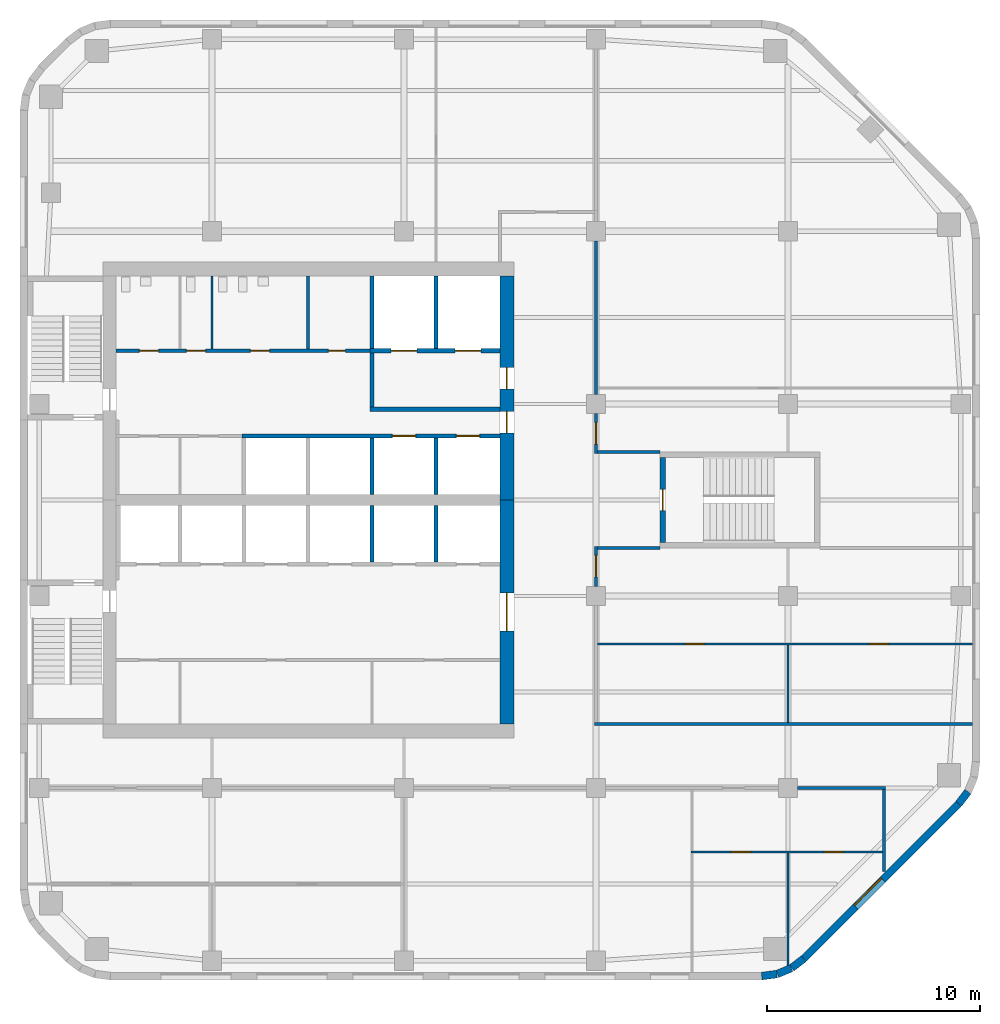
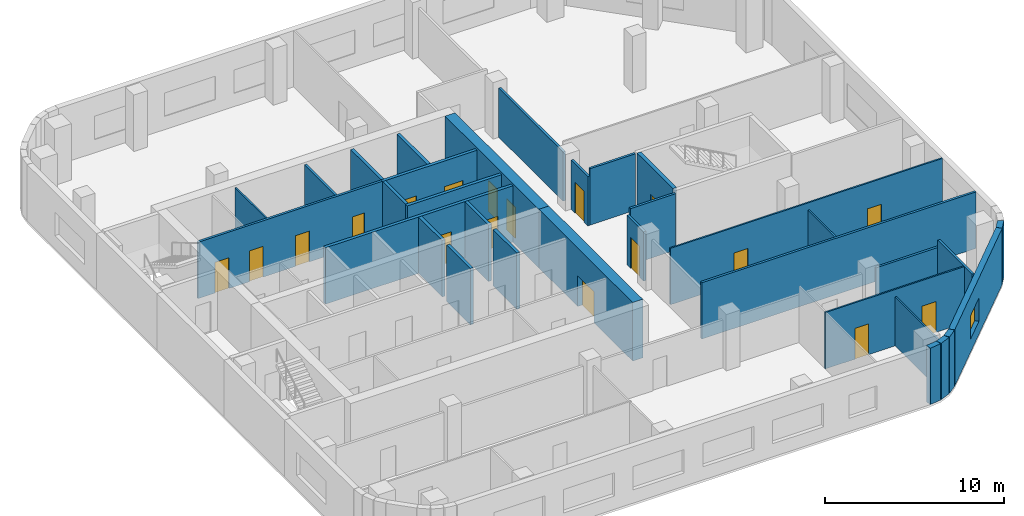
# One storey, part 4 of 7: 33 walls, 18 doors, 1 window, 19 openings.
"""IFC4 building model written with IfcOpenShell, lengths in metres."""

from ifc_helpers import new_model, si_unit, direction, frame, frame_2d, origin, place, context, subcontext, project, spatial, rectangle, extrude, material, layer, layer_set, type_object, element, fill, save


model = new_model("IFC4")

# Units and contexts
model_context = context("Model", 3, precision=1e-05, world=origin(), true_north=direction((0.0, 1.0)))
body_context = subcontext(model_context, "Body", "Model", "MODEL_VIEW")
ifc_project = project(units=[si_unit("LENGTHUNIT", "METRE"), si_unit("AREAUNIT", "SQUARE_METRE"), si_unit("VOLUMEUNIT", "CUBIC_METRE"), si_unit("PLANEANGLEUNIT", "RADIAN"), si_unit("MASSUNIT", "GRAM", prefix="KILO")], contexts=[model_context])

# Site, building, storey
site_placement = place(None, origin())
site = spatial("IfcSite", under=ifc_project, at=site_placement, CompositionType="ELEMENT")
building_placement = place(site_placement, origin())
building = spatial("IfcBuilding", under=site, at=building_placement, Name="Cinnabar Reach Civic Tower", CompositionType="ELEMENT")
storey_placement = place(building_placement, frame((0.0, 0.0, 173.0)))
storey = spatial("IfcBuildingStorey", under=building, at=storey_placement, Name="L41", CompositionType="ELEMENT", Elevation=173.0)

# Walls
ifc_material_1 = material(Name="Facing brick with insulated backing", Category="masonry")
ifc_layer_1 = layer(ifc_material_1, 0.36)
ifc_layer_set_1 = layer_set([ifc_layer_1], Name="Brick corner wall")
wall_type_1 = type_object("IfcWallType", Name="Brick corner wall", PredefinedType="STANDARD", material=ifc_layer_set_1)
for number, where, z_axis, x_axis, name in (
    (1, (34.7686, 9.183, 0.0), (0.0, 0.0, 1.0), (0.99144092581, 0.13055608231, 0.0), "Brick corner wall"),
    (2, (35.4973, 9.2819, 0.0), (0.0, 0.0, 1.0), (0.923871547278, 0.382702709855, 0.0), "Brick corner wall"),
):
    element("IfcWall", number, at=place(storey_placement, frame(where, z_axis=z_axis, x_axis=x_axis)), inside=storey, type_object=wall_type_1, Name=name, PredefinedType="STANDARD", context=body_context, shape_type="SweptSolid", body=[
        extrude(rectangle(XDim=0.7131, YDim=0.36, at=frame_2d((0.3565, 0.0))), origin(), (0.0, 0.0, 1.0), 3.85),
    ])
for number, where, z_axis, x_axis, name in (
    (3, (36.1755, 9.566, 0.0), (0.0, 0.0, 1.0), (0.793321924995, 0.608802368033, 0.0), "Brick corner wall"),
    (4, (43.9998, 17.2587, 0.0), (0.0, 0.0, 1.0), (0.608802368033, 0.793321924995, 0.0), "Brick corner wall"),
):
    element("IfcWall", number, at=place(storey_placement, frame(where, z_axis=z_axis, x_axis=x_axis)), inside=storey, type_object=wall_type_1, Name=name, PredefinedType="STANDARD", context=body_context, shape_type="SweptSolid", body=[
        extrude(rectangle(XDim=0.7132, YDim=0.36, at=frame_2d((0.3566, 0.0))), origin(), (0.0, 0.0, 1.0), 3.85),
    ])

# Wall, opening, window
ifc_layer_2 = layer(ifc_material_1, 0.36)
ifc_layer_set_2 = layer_set([ifc_layer_2], Name="Brick pier and spandrel wall")
wall_type_2 = type_object("IfcWallType", Name="Brick pier and spandrel wall", PredefinedType="STANDARD", material=ifc_layer_set_2)
wall_1_placement = place(storey_placement, frame((36.7514, 10.006, 0.0), z_axis=(0.0, 0.0, 1.0), x_axis=(0.707106781187, 0.707106781187, 0.0)))
wall_1 = element("IfcWall", 5, at=wall_1_placement, inside=storey, type_object=wall_type_2, Name="Brick facade wall", PredefinedType="STANDARD", context=body_context, shape_type="SweptSolid", body=[
    extrude(rectangle(XDim=10.2426, YDim=0.36, at=frame_2d((5.1213, 0.0))), origin(), (0.0, 0.0, 1.0), 3.85),
])
opening_1_placement = place(wall_1_placement, frame((3.4213, 0.0, 0.9)))
opening_1 = element("IfcOpeningElement", 6, at=opening_1_placement, cuts=wall_1, Name="Opening W1847", PredefinedType="OPENING", context=body_context, shape_type="SweptSolid", body=[
    extrude(rectangle(XDim=1.8, YDim=1.6, at=frame_2d((0.9, 0.8))), frame((0.0, 0.19, 0.0), z_axis=(0.0, -1.0, 0.0), x_axis=(1.0, 0.0, 0.0)), (0.0, 0.0, 1.0), 0.38),
])
ifc_material_2 = material(Name="Clear double glazing in aluminium frame", Category="aluminium")
window_type = type_object("IfcWindowType", Name="Deep-set window D", PartitioningType="SINGLE_PANEL", PredefinedType="WINDOW", material=ifc_material_2)
window_placement = place(opening_1_placement, origin())
window = element("IfcWindow", 7, at=window_placement, inside=storey, type_object=window_type, Name="Window southeast face", OverallHeight=1.6, OverallWidth=1.8, PartitioningType="SINGLE_PANEL", PredefinedType="WINDOW", context=body_context, shape_type="SweptSolid", body=[
    extrude(rectangle(XDim=1.8, YDim=1.6, at=frame_2d((0.9, 0.8))), frame((0.0, 0.13, 0.0), z_axis=(0.0, -1.0, 0.0), x_axis=(1.0, 0.0, 0.0)), (0.0, 0.0, 1.0), 0.06),
])
fill(opening_1, window)

# Wall, opening, door
ifc_material_3 = material(Name="Concrete C70", Category="concrete")
ifc_layer_3 = layer(ifc_material_3, 0.65)
ifc_layer_set_3 = layer_set([ifc_layer_3], Name="Core wall 650 EI 180")
wall_type_3 = type_object("IfcWallType", Name="Core wall 650 EI 180", PredefinedType="SOLIDWALL", material=ifc_layer_set_3)
wall_2_placement = place(storey_placement, frame((22.825, 21.0, 0.0), z_axis=(0.0, 0.0, 1.0), x_axis=(0.0, 1.0, 0.0)))
wall_2 = element("IfcWall", 8, at=wall_2_placement, inside=storey, type_object=wall_type_3, Name="Core wall T1 L41 E", PredefinedType="SOLIDWALL", context=body_context, shape_type="SweptSolid", body=[
    extrude(rectangle(XDim=10.5, YDim=0.65, at=frame_2d((5.25, 0.0))), origin(), (0.0, 0.0, 1.0), 4.0),
])
opening_2_placement = place(wall_2_placement, frame((4.35, 0.0, 0.0)))
opening_2 = element("IfcOpeningElement", 9, at=opening_2_placement, cuts=wall_2, Name="Opening D4681", PredefinedType="OPENING", context=body_context, shape_type="SweptSolid", body=[
    extrude(rectangle(XDim=1.8, YDim=2.1, at=frame_2d((0.9, 1.05))), frame((0.0, 0.335, 0.0), z_axis=(0.0, -1.0, 0.0), x_axis=(1.0, 0.0, 0.0)), (0.0, 0.0, 1.0), 0.67),
])
ifc_material_4 = material(Name="Timber door leaf in steel frame", Category="steel")
door_type_1 = type_object("IfcDoorType", Name="Double swing door 1800 x 2100 T1", OperationType="DOUBLE_DOOR_DOUBLE_SWING", PredefinedType="DOOR", material=ifc_material_4)
door_1_placement = place(opening_2_placement, origin())
door_1 = element("IfcDoor", 10, at=door_1_placement, inside=storey, type_object=door_type_1, Name="Door D4681", OperationType="DOUBLE_DOOR_DOUBLE_SWING", OverallHeight=2.1, OverallWidth=1.8, PredefinedType="DOOR", context=body_context, shape_type="SweptSolid", body=[
    extrude(rectangle(XDim=1.8, YDim=2.1, at=frame_2d((0.9, 1.05))), frame((0.0, 0.025, 0.0), z_axis=(0.0, -1.0, 0.0), x_axis=(1.0, 0.0, 0.0)), (0.0, 0.0, 1.0), 0.05),
])
fill(opening_2, door_1)

# Wall, openings, doors
wall_3_placement = place(storey_placement, frame((22.825, 31.5, 0.0), z_axis=(0.0, 0.0, 1.0), x_axis=(0.0, 1.0, 0.0)))
wall_3 = element("IfcWall", 11, at=wall_3_placement, inside=storey, type_object=wall_type_3, Name="Core wall T1 L41 E2", PredefinedType="SOLIDWALL", context=body_context, shape_type="SweptSolid", body=[
    extrude(rectangle(XDim=10.5, YDim=0.65, at=frame_2d((5.25, 0.0))), origin(), (0.0, 0.0, 1.0), 4.0),
])
opening_3_placement = place(wall_3_placement, frame((3.15, 0.0, 0.0)))
opening_3 = element("IfcOpeningElement", 12, at=opening_3_placement, cuts=wall_3, Name="Opening D4682", PredefinedType="OPENING", context=body_context, shape_type="SweptSolid", body=[
    extrude(rectangle(XDim=1.0, YDim=2.1, at=frame_2d((0.5, 1.05))), frame((0.0, 0.335, 0.0), z_axis=(0.0, -1.0, 0.0), x_axis=(1.0, 0.0, 0.0)), (0.0, 0.0, 1.0), 0.67),
])
opening_4_placement = place(wall_3_placement, frame((5.2, 0.0, 0.0)))
opening_4 = element("IfcOpeningElement", 13, at=opening_4_placement, cuts=wall_3, Name="Opening D4683", PredefinedType="OPENING", context=body_context, shape_type="SweptSolid", body=[
    extrude(rectangle(XDim=1.0, YDim=2.1, at=frame_2d((0.5, 1.05))), frame((0.0, 0.335, 0.0), z_axis=(0.0, -1.0, 0.0), x_axis=(1.0, 0.0, 0.0)), (0.0, 0.0, 1.0), 0.67),
])
door_type_2 = type_object("IfcDoorType", Name="Firefighting lobby door 1000 x 2100 T1", OperationType="SINGLE_SWING_LEFT", PredefinedType="DOOR", material=ifc_material_4)
door_2_placement = place(opening_4_placement, origin())
door_2 = element("IfcDoor", 14, at=door_2_placement, inside=storey, type_object=door_type_2, Name="Door D4683", OperationType="SINGLE_SWING_LEFT", OverallHeight=2.1, OverallWidth=1.0, PredefinedType="DOOR", context=body_context, shape_type="SweptSolid", body=[
    extrude(rectangle(XDim=1.0, YDim=2.1, at=frame_2d((0.5, 1.05))), frame((0.0, 0.025, 0.0), z_axis=(0.0, -1.0, 0.0), x_axis=(1.0, 0.0, 0.0)), (0.0, 0.0, 1.0), 0.05),
])
fill(opening_4, door_2)
door_type_3 = type_object("IfcDoorType", Name="Single swing door 1000 x 2100 T1", OperationType="SINGLE_SWING_LEFT", PredefinedType="DOOR", material=ifc_material_4)
door_3_placement = place(opening_3_placement, origin())
door_3 = element("IfcDoor", 15, at=door_3_placement, inside=storey, type_object=door_type_3, Name="Door D4682", OperationType="SINGLE_SWING_RIGHT", OverallHeight=2.1, OverallWidth=1.0, PredefinedType="DOOR", context=body_context, shape_type="SweptSolid", body=[
    extrude(rectangle(XDim=1.0, YDim=2.1, at=frame_2d((0.5, 1.05))), frame((0.0, 0.025, 0.0), z_axis=(0.0, -1.0, 0.0), x_axis=(1.0, 0.0, 0.0)), (0.0, 0.0, 1.0), 0.05),
])
fill(opening_3, door_3)

# Walls
ifc_material_5 = material(Name="Gypsum board on steel studs, double layer", Category="steel")
ifc_layer_4 = layer(ifc_material_5, 0.15)
ifc_layer_set_4 = layer_set([ifc_layer_4], Name="Corridor wall 150 T1")
wall_type_4 = type_object("IfcWallType", Name="Corridor wall 150 T1", PredefinedType="PARTITIONING", material=ifc_layer_set_4)
wall_4_placement = place(storey_placement, frame((36.45, 18.0, 0.0), z_axis=(0.0, 0.0, 1.0), x_axis=(1.0, 0.0, 0.0)))
element("IfcWall", 16, at=wall_4_placement, inside=storey, type_object=wall_type_4, Name="Corridor wall 22", PredefinedType="PARTITIONING", context=body_context, shape_type="SweptSolid", body=[
    extrude(rectangle(XDim=4.1249, YDim=0.15, at=frame_2d((2.0625, 0.0))), origin(), (0.0, 0.0, 1.0), 3.35),
])
wall_5_placement = place(storey_placement, frame((26.925, 21.0, 0.0), z_axis=(0.0, 0.0, 1.0), x_axis=(1.0, 0.0, 0.0)))
element("IfcWall", 17, at=wall_5_placement, inside=storey, type_object=wall_type_4, Name="Corridor wall 24", PredefinedType="PARTITIONING", context=body_context, shape_type="SweptSolid", body=[
    extrude(rectangle(XDim=17.715, YDim=0.15, at=frame_2d((8.8575, 0.0))), origin(), (0.0, 0.0, 1.0), 3.85),
])

# Wall, openings, doors
wall_6_placement = place(storey_placement, frame((4.5, 38.5, 0.0), z_axis=(0.0, 0.0, 1.0), x_axis=(1.0, 0.0, 0.0)))
wall_6 = element("IfcWall", 18, at=wall_6_placement, inside=storey, type_object=wall_type_4, Name="Corridor wall 25", PredefinedType="PARTITIONING", context=body_context, shape_type="SweptSolid", body=[
    extrude(rectangle(XDim=11.9, YDim=0.15, at=frame_2d((5.95, 0.0))), origin(), (0.0, 0.0, 1.0), 3.85),
])
opening_5_placement = place(wall_6_placement, frame((1.1, 0.0, 0.0)))
opening_5 = element("IfcOpeningElement", 19, at=opening_5_placement, cuts=wall_6, Name="Opening D4690", PredefinedType="OPENING", context=body_context, shape_type="SweptSolid", body=[
    extrude(rectangle(XDim=0.9, YDim=2.1, at=frame_2d((0.45, 1.05))), frame((0.0, 0.085, 0.0), z_axis=(0.0, -1.0, 0.0), x_axis=(1.0, 0.0, 0.0)), (0.0, 0.0, 1.0), 0.17),
])
opening_6_placement = place(wall_6_placement, frame((3.3, 0.0, 0.0)))
opening_6 = element("IfcOpeningElement", 20, at=opening_6_placement, cuts=wall_6, Name="Opening D4691", PredefinedType="OPENING", context=body_context, shape_type="SweptSolid", body=[
    extrude(rectangle(XDim=0.9, YDim=2.1, at=frame_2d((0.45, 1.05))), frame((0.0, 0.085, 0.0), z_axis=(0.0, -1.0, 0.0), x_axis=(1.0, 0.0, 0.0)), (0.0, 0.0, 1.0), 0.17),
])
opening_7_placement = place(wall_6_placement, frame((6.3, 0.0, 0.0)))
opening_7 = element("IfcOpeningElement", 21, at=opening_7_placement, cuts=wall_6, Name="Opening D4692", PredefinedType="OPENING", context=body_context, shape_type="SweptSolid", body=[
    extrude(rectangle(XDim=0.9, YDim=2.1, at=frame_2d((0.45, 1.05))), frame((0.0, 0.085, 0.0), z_axis=(0.0, -1.0, 0.0), x_axis=(1.0, 0.0, 0.0)), (0.0, 0.0, 1.0), 0.17),
])
opening_8_placement = place(wall_6_placement, frame((9.95, 0.0, 0.0)))
opening_8 = element("IfcOpeningElement", 22, at=opening_8_placement, cuts=wall_6, Name="Opening D4693", PredefinedType="OPENING", context=body_context, shape_type="SweptSolid", body=[
    extrude(rectangle(XDim=0.8, YDim=2.1, at=frame_2d((0.4, 1.05))), frame((0.0, 0.085, 0.0), z_axis=(0.0, -1.0, 0.0), x_axis=(1.0, 0.0, 0.0)), (0.0, 0.0, 1.0), 0.17),
])
door_type_4 = type_object("IfcDoorType", Name="Riser access door 800 x 2100 T1", OperationType="SINGLE_SWING_LEFT", PredefinedType="DOOR", material=ifc_material_4)
door_4_placement = place(opening_8_placement, origin())
door_4 = element("IfcDoor", 23, at=door_4_placement, inside=storey, type_object=door_type_4, Name="Door D4693", OperationType="SINGLE_SWING_RIGHT", OverallHeight=2.1, OverallWidth=0.8, PredefinedType="DOOR", context=body_context, shape_type="SweptSolid", body=[
    extrude(rectangle(XDim=0.8, YDim=2.1, at=frame_2d((0.4, 1.05))), frame((0.0, 0.025, 0.0), z_axis=(0.0, -1.0, 0.0), x_axis=(1.0, 0.0, 0.0)), (0.0, 0.0, 1.0), 0.05),
])
fill(opening_8, door_4)
door_type_5 = type_object("IfcDoorType", Name="Single swing door 900 x 2100 corridor T1", OperationType="SINGLE_SWING_LEFT", PredefinedType="DOOR", material=ifc_material_4)
door_5_placement = place(opening_5_placement, origin())
door_5 = element("IfcDoor", 24, at=door_5_placement, inside=storey, type_object=door_type_5, Name="Door D4690", OperationType="SINGLE_SWING_LEFT", OverallHeight=2.1, OverallWidth=0.9, PredefinedType="DOOR", context=body_context, shape_type="SweptSolid", body=[
    extrude(rectangle(XDim=0.9, YDim=2.1, at=frame_2d((0.45, 1.05))), frame((0.0, 0.025, 0.0), z_axis=(0.0, -1.0, 0.0), x_axis=(1.0, 0.0, 0.0)), (0.0, 0.0, 1.0), 0.05),
])
fill(opening_5, door_5)
door_6_placement = place(opening_6_placement, origin())
door_6 = element("IfcDoor", 25, at=door_6_placement, inside=storey, type_object=door_type_5, Name="Door D4691", OperationType="SINGLE_SWING_LEFT", OverallHeight=2.1, OverallWidth=0.9, PredefinedType="DOOR", context=body_context, shape_type="SweptSolid", body=[
    extrude(rectangle(XDim=0.9, YDim=2.1, at=frame_2d((0.45, 1.05))), frame((0.0, 0.025, 0.0), z_axis=(0.0, -1.0, 0.0), x_axis=(1.0, 0.0, 0.0)), (0.0, 0.0, 1.0), 0.05),
])
fill(opening_6, door_6)
door_7_placement = place(opening_7_placement, origin())
door_7 = element("IfcDoor", 26, at=door_7_placement, inside=storey, type_object=door_type_5, Name="Door D4692", OperationType="SINGLE_SWING_LEFT", OverallHeight=2.1, OverallWidth=0.9, PredefinedType="DOOR", context=body_context, shape_type="SweptSolid", body=[
    extrude(rectangle(XDim=0.9, YDim=2.1, at=frame_2d((0.45, 1.05))), frame((0.0, 0.025, 0.0), z_axis=(0.0, -1.0, 0.0), x_axis=(1.0, 0.0, 0.0)), (0.0, 0.0, 1.0), 0.05),
])
fill(opening_7, door_7)

# Wall, opening, door
wall_7_placement = place(storey_placement, frame((27.0, 33.675, 0.0), z_axis=(0.0, 0.0, 1.0), x_axis=(0.0, 1.0, 0.0)))
wall_7 = element("IfcWall", 27, at=wall_7_placement, inside=storey, type_object=wall_type_4, Name="Corridor wall 26", PredefinedType="PARTITIONING", context=body_context, shape_type="SweptSolid", body=[
    extrude(rectangle(XDim=1.875, YDim=0.15, at=frame_2d((0.9375, 0.0))), origin(), (0.0, 0.0, 1.0), 3.362),
])
opening_9_placement = place(wall_7_placement, frame((0.45, 0.0, 0.0)))
opening_9 = element("IfcOpeningElement", 28, at=opening_9_placement, cuts=wall_7, Name="Opening D4694", PredefinedType="OPENING", context=body_context, shape_type="SweptSolid", body=[
    extrude(rectangle(XDim=1.0, YDim=2.1, at=frame_2d((0.5, 1.05))), frame((0.0, 0.085, 0.0), z_axis=(0.0, -1.0, 0.0), x_axis=(1.0, 0.0, 0.0)), (0.0, 0.0, 1.0), 0.17),
])
door_type_6 = type_object("IfcDoorType", Name="Tenancy entrance door 1000 x 2100 T1", OperationType="SINGLE_SWING_LEFT", PredefinedType="DOOR", material=ifc_material_4)
door_8_placement = place(opening_9_placement, frame((1.0, 0.0, 0.0), z_axis=(0.0, 0.0, 1.0), x_axis=(-1.0, 0.0, 0.0)))
door_8 = element("IfcDoor", 29, at=door_8_placement, inside=storey, type_object=door_type_6, Name="Door D4694", OperationType="SINGLE_SWING_RIGHT", OverallHeight=2.1, OverallWidth=1.0, PredefinedType="DOOR", context=body_context, shape_type="SweptSolid", body=[
    extrude(rectangle(XDim=1.0, YDim=2.1, at=frame_2d((0.5, 1.05))), frame((0.0, 0.025, 0.0), z_axis=(0.0, -1.0, 0.0), x_axis=(1.0, 0.0, 0.0)), (0.0, 0.0, 1.0), 0.05),
])
fill(opening_9, door_8)

# Wall
wall_8_placement = place(storey_placement, frame((27.0, 36.45, 0.0), z_axis=(0.0, 0.0, 1.0), x_axis=(0.0, 1.0, 0.0)))
element("IfcWall", 30, at=wall_8_placement, inside=storey, type_object=wall_type_4, Name="Corridor wall 27", PredefinedType="PARTITIONING", context=body_context, shape_type="SweptSolid", body=[
    extrude(rectangle(XDim=7.2, YDim=0.15, at=frame_2d((3.6, 0.0))), origin(), (0.0, 0.0, 1.0), 3.362),
])

# Wall, opening, door
wall_9_placement = place(storey_placement, frame((27.0, 27.45, 0.0), z_axis=(0.0, 0.0, 1.0), x_axis=(0.0, 1.0, 0.0)))
wall_9 = element("IfcWall", 31, at=wall_9_placement, inside=storey, type_object=wall_type_4, Name="Corridor wall 30", PredefinedType="PARTITIONING", context=body_context, shape_type="SweptSolid", body=[
    extrude(rectangle(XDim=1.875, YDim=0.15, at=frame_2d((0.9375, 0.0))), origin(), (0.0, 0.0, 1.0), 3.362),
])
opening_10_placement = place(wall_9_placement, frame((0.45, 0.0, 0.0)))
opening_10 = element("IfcOpeningElement", 32, at=opening_10_placement, cuts=wall_9, Name="Opening D4696", PredefinedType="OPENING", context=body_context, shape_type="SweptSolid", body=[
    extrude(rectangle(XDim=1.0, YDim=2.1, at=frame_2d((0.5, 1.05))), frame((0.0, 0.085, 0.0), z_axis=(0.0, -1.0, 0.0), x_axis=(1.0, 0.0, 0.0)), (0.0, 0.0, 1.0), 0.17),
])
door_9_placement = place(opening_10_placement, frame((1.0, 0.0, 0.0), z_axis=(0.0, 0.0, 1.0), x_axis=(-1.0, 0.0, 0.0)))
door_9 = element("IfcDoor", 33, at=door_9_placement, inside=storey, type_object=door_type_6, Name="Door D4696", OperationType="SINGLE_SWING_LEFT", OverallHeight=2.1, OverallWidth=1.0, PredefinedType="DOOR", context=body_context, shape_type="SweptSolid", body=[
    extrude(rectangle(XDim=1.0, YDim=2.1, at=frame_2d((0.5, 1.05))), frame((0.0, 0.025, 0.0), z_axis=(0.0, -1.0, 0.0), x_axis=(1.0, 0.0, 0.0)), (0.0, 0.0, 1.0), 0.05),
])
fill(opening_10, door_9)

# Walls
wall_10_placement = place(storey_placement, frame((40.5, 14.084, 0.0), z_axis=(0.0, 0.0, 1.0), x_axis=(0.0, 1.0, 0.0)))
element("IfcWall", 34, at=wall_10_placement, inside=storey, type_object=wall_type_4, Name="Corridor wall 33", PredefinedType="PARTITIONING", context=body_context, shape_type="SweptSolid", body=[
    extrude(rectangle(XDim=3.841, YDim=0.15, at=frame_2d((1.9205, 0.0))), origin(), (0.0, 0.0, 1.0), 3.85),
])
for number, where, z_axis, x_axis, name in (
    (35, (27.075, 29.25, 0.0), (0.0, 0.0, 1.0), (1.0, 0.0, 0.0), "Corridor wall 36"),
    (36, (27.075, 33.75, 0.0), (0.0, 0.0, 1.0), (1.0, 0.0, 0.0), "Corridor wall 37"),
):
    element("IfcWall", number, at=place(storey_placement, frame(where, z_axis=z_axis, x_axis=x_axis)), inside=storey, type_object=wall_type_4, Name=name, PredefinedType="PARTITIONING", context=body_context, shape_type="SweptSolid", body=[
        extrude(rectangle(XDim=2.925, YDim=0.15, at=frame_2d((1.4625, 0.0))), origin(), (0.0, 0.0, 1.0), 3.85),
    ])

# Wall, openings, doors
ifc_material_6 = material(Name="Blockwork", Category="masonry")
ifc_layer_5 = layer(ifc_material_6, 0.2)
ifc_layer_set_5 = layer_set([ifc_layer_5], Name="Lift shaft wall 200 T1")
wall_type_5 = type_object("IfcWallType", Name="Lift shaft wall 200 T1", PredefinedType="PARTITIONING", material=ifc_layer_set_5)
wall_11_placement = place(storey_placement, frame((10.4, 34.5, 0.0), z_axis=(0.0, 0.0, 1.0), x_axis=(1.0, 0.0, 0.0)))
wall_11 = element("IfcWall", 37, at=wall_11_placement, inside=storey, type_object=wall_type_5, Name="Lift shaft wall 5", PredefinedType="PARTITIONING", context=body_context, shape_type="SweptSolid", body=[
    extrude(rectangle(XDim=12.1, YDim=0.2, at=frame_2d((6.05, 0.0))), origin(), (0.0, 0.0, 1.0), 3.85),
])
opening_11_placement = place(wall_11_placement, frame((7.05, 0.0, 0.0)))
opening_11 = element("IfcOpeningElement", 38, at=opening_11_placement, cuts=wall_11, Name="Opening D4677", PredefinedType="OPENING", context=body_context, shape_type="SweptSolid", body=[
    extrude(rectangle(XDim=1.1, YDim=2.1, at=frame_2d((0.55, 1.05))), frame((0.0, 0.11, 0.0), z_axis=(0.0, -1.0, 0.0), x_axis=(1.0, 0.0, 0.0)), (0.0, 0.0, 1.0), 0.22),
])
opening_12_placement = place(wall_11_placement, frame((10.05, 0.0, 0.0)))
opening_12 = element("IfcOpeningElement", 39, at=opening_12_placement, cuts=wall_11, Name="Opening D4678", PredefinedType="OPENING", context=body_context, shape_type="SweptSolid", body=[
    extrude(rectangle(XDim=1.1, YDim=2.1, at=frame_2d((0.55, 1.05))), frame((0.0, 0.11, 0.0), z_axis=(0.0, -1.0, 0.0), x_axis=(1.0, 0.0, 0.0)), (0.0, 0.0, 1.0), 0.22),
])
ifc_material_7 = material(Name="Stainless steel sliding door", Category="steel")
door_type_7 = type_object("IfcDoorType", Name="Lift landing door 1100 x 2100 T1", OperationType="SLIDING_TO_LEFT", PredefinedType="DOOR", material=ifc_material_7)
door_10_placement = place(opening_11_placement, origin())
door_10 = element("IfcDoor", 40, at=door_10_placement, inside=storey, type_object=door_type_7, Name="Lift landing door SV1 L41", OperationType="SLIDING_TO_LEFT", OverallHeight=2.1, OverallWidth=1.1, PredefinedType="DOOR", context=body_context, shape_type="SweptSolid", body=[
    extrude(rectangle(XDim=1.1, YDim=2.1, at=frame_2d((0.55, 1.05))), frame((0.0, 0.025, 0.0), z_axis=(0.0, -1.0, 0.0), x_axis=(1.0, 0.0, 0.0)), (0.0, 0.0, 1.0), 0.05),
])
fill(opening_11, door_10)
door_11_placement = place(opening_12_placement, origin())
door_11 = element("IfcDoor", 41, at=door_11_placement, inside=storey, type_object=door_type_7, Name="Lift landing door SV2 L41", OperationType="SLIDING_TO_LEFT", OverallHeight=2.1, OverallWidth=1.1, PredefinedType="DOOR", context=body_context, shape_type="SweptSolid", body=[
    extrude(rectangle(XDim=1.1, YDim=2.1, at=frame_2d((0.55, 1.05))), frame((0.0, 0.025, 0.0), z_axis=(0.0, -1.0, 0.0), x_axis=(1.0, 0.0, 0.0)), (0.0, 0.0, 1.0), 0.05),
])
fill(opening_12, door_11)

# Walls
for number, where, z_axis, x_axis, name in (
    (42, (16.5, 28.6, 0.0), (0.0, 0.0, 1.0), (0.0, 1.0, 0.0), "Lift shaft wall 10"),
    (43, (16.5, 31.75, 0.0), (0.0, 0.0, 1.0), (0.0, 1.0, 0.0), "Lift shaft wall 11"),
    (44, (19.5, 28.6, 0.0), (0.0, 0.0, 1.0), (0.0, 1.0, 0.0), "Lift shaft wall 12"),
    (45, (19.5, 31.75, 0.0), (0.0, 0.0, 1.0), (0.0, 1.0, 0.0), "Lift shaft wall 13"),
):
    element("IfcWall", number, at=place(storey_placement, frame(where, z_axis=z_axis, x_axis=x_axis)), inside=storey, type_object=wall_type_5, Name=name, PredefinedType="PARTITIONING", context=body_context, shape_type="SweptSolid", body=[
        extrude(rectangle(XDim=2.65, YDim=0.2, at=frame_2d((1.325, 0.0))), origin(), (0.0, 0.0, 1.0), 3.85),
    ])
for number, where, z_axis, x_axis, name in (
    (46, (16.5, 38.6, 0.0), (0.0, 0.0, 1.0), (0.0, 1.0, 0.0), "Lift shaft wall 14"),
    (47, (19.5, 38.6, 0.0), (0.0, 0.0, 1.0), (0.0, 1.0, 0.0), "Lift shaft wall 15"),
):
    element("IfcWall", number, at=place(storey_placement, frame(where, z_axis=z_axis, x_axis=x_axis)), inside=storey, type_object=wall_type_5, Name=name, PredefinedType="PARTITIONING", context=body_context, shape_type="SweptSolid", body=[
        extrude(rectangle(XDim=3.4, YDim=0.2, at=frame_2d((1.7, 0.0))), origin(), (0.0, 0.0, 1.0), 3.85),
    ])

# Wall, openings, doors
ifc_material_8 = material(Name="Gypsum board on steel studs", Category="steel")
ifc_layer_6 = layer(ifc_material_8, 0.1)
ifc_layer_set_6 = layer_set([ifc_layer_6], Name="Partition wall 100 T1")
wall_type_6 = type_object("IfcWallType", Name="Partition wall 100 T1", PredefinedType="PARTITIONING", material=ifc_layer_set_6)
wall_12_placement = place(storey_placement, frame((27.075, 24.75, 0.0), z_axis=(0.0, 0.0, 1.0), x_axis=(1.0, 0.0, 0.0)))
wall_12 = element("IfcWall", 48, at=wall_12_placement, inside=storey, type_object=wall_type_6, Name="Partition wall 44", PredefinedType="PARTITIONING", context=body_context, shape_type="SweptSolid", body=[
    extrude(rectangle(XDim=17.565, YDim=0.1, at=frame_2d((8.7825, 0.0))), origin(), (0.0, 0.0, 1.0), 3.85),
])
opening_13_placement = place(wall_12_placement, frame((4.1, 0.0, 0.0)))
opening_13 = element("IfcOpeningElement", 49, at=opening_13_placement, cuts=wall_12, Name="Opening D4697", PredefinedType="OPENING", context=body_context, shape_type="SweptSolid", body=[
    extrude(rectangle(XDim=0.9, YDim=2.1, at=frame_2d((0.45, 1.05))), frame((0.0, 0.06, 0.0), z_axis=(0.0, -1.0, 0.0), x_axis=(1.0, 0.0, 0.0)), (0.0, 0.0, 1.0), 0.12),
])
opening_14_placement = place(wall_12_placement, frame((12.725, 0.0, 0.0)))
opening_14 = element("IfcOpeningElement", 50, at=opening_14_placement, cuts=wall_12, Name="Opening D4698", PredefinedType="OPENING", context=body_context, shape_type="SweptSolid", body=[
    extrude(rectangle(XDim=0.9, YDim=2.1, at=frame_2d((0.45, 1.05))), frame((0.0, 0.06, 0.0), z_axis=(0.0, -1.0, 0.0), x_axis=(1.0, 0.0, 0.0)), (0.0, 0.0, 1.0), 0.12),
])
door_type_8 = type_object("IfcDoorType", Name="Single swing door 900 x 2100 T1", OperationType="SINGLE_SWING_LEFT", PredefinedType="DOOR", material=ifc_material_4)
door_12_placement = place(opening_13_placement, frame((0.9, 0.0, 0.0), z_axis=(0.0, 0.0, 1.0), x_axis=(-1.0, 0.0, 0.0)))
door_12 = element("IfcDoor", 51, at=door_12_placement, inside=storey, type_object=door_type_8, Name="Door D4697", OperationType="SINGLE_SWING_LEFT", OverallHeight=2.1, OverallWidth=0.9, PredefinedType="DOOR", context=body_context, shape_type="SweptSolid", body=[
    extrude(rectangle(XDim=0.9, YDim=2.1, at=frame_2d((0.45, 1.05))), frame((0.0, 0.025, 0.0), z_axis=(0.0, -1.0, 0.0), x_axis=(1.0, 0.0, 0.0)), (0.0, 0.0, 1.0), 0.05),
])
fill(opening_13, door_12)
door_13_placement = place(opening_14_placement, frame((0.9, 0.0, 0.0), z_axis=(0.0, 0.0, 1.0), x_axis=(-1.0, 0.0, 0.0)))
door_13 = element("IfcDoor", 52, at=door_13_placement, inside=storey, type_object=door_type_8, Name="Door D4698", OperationType="SINGLE_SWING_LEFT", OverallHeight=2.1, OverallWidth=0.9, PredefinedType="DOOR", context=body_context, shape_type="SweptSolid", body=[
    extrude(rectangle(XDim=0.9, YDim=2.1, at=frame_2d((0.45, 1.05))), frame((0.0, 0.025, 0.0), z_axis=(0.0, -1.0, 0.0), x_axis=(1.0, 0.0, 0.0)), (0.0, 0.0, 1.0), 0.05),
])
fill(opening_14, door_13)

wall_13_placement = place(storey_placement, frame((31.45, 15.0, 0.0), z_axis=(0.0, 0.0, 1.0), x_axis=(1.0, 0.0, 0.0)))
wall_13 = element("IfcWall", 53, at=wall_13_placement, inside=storey, type_object=wall_type_6, Name="Partition wall 47", PredefinedType="PARTITIONING", context=body_context, shape_type="SweptSolid", body=[
    extrude(rectangle(XDim=8.975, YDim=0.1, at=frame_2d((4.4875, 0.0))), origin(), (0.0, 0.0, 1.0), 3.85),
])
opening_15_placement = place(wall_13_placement, frame((1.9, 0.0, 0.0)))
opening_15 = element("IfcOpeningElement", 54, at=opening_15_placement, cuts=wall_13, Name="Opening D4704", PredefinedType="OPENING", context=body_context, shape_type="SweptSolid", body=[
    extrude(rectangle(XDim=0.9, YDim=2.1, at=frame_2d((0.45, 1.05))), frame((0.0, 0.06, 0.0), z_axis=(0.0, -1.0, 0.0), x_axis=(1.0, 0.0, 0.0)), (0.0, 0.0, 1.0), 0.12),
])
opening_16_placement = place(wall_13_placement, frame((6.25, 0.0, 0.0)))
opening_16 = element("IfcOpeningElement", 55, at=opening_16_placement, cuts=wall_13, Name="Opening D4705", PredefinedType="OPENING", context=body_context, shape_type="SweptSolid", body=[
    extrude(rectangle(XDim=0.9, YDim=2.1, at=frame_2d((0.45, 1.05))), frame((0.0, 0.06, 0.0), z_axis=(0.0, -1.0, 0.0), x_axis=(1.0, 0.0, 0.0)), (0.0, 0.0, 1.0), 0.12),
])
door_14_placement = place(opening_15_placement, frame((0.9, 0.0, 0.0), z_axis=(0.0, 0.0, 1.0), x_axis=(-1.0, 0.0, 0.0)))
door_14 = element("IfcDoor", 56, at=door_14_placement, inside=storey, type_object=door_type_8, Name="Door D4704", OperationType="SINGLE_SWING_RIGHT", OverallHeight=2.1, OverallWidth=0.9, PredefinedType="DOOR", context=body_context, shape_type="SweptSolid", body=[
    extrude(rectangle(XDim=0.9, YDim=2.1, at=frame_2d((0.45, 1.05))), frame((0.0, 0.025, 0.0), z_axis=(0.0, -1.0, 0.0), x_axis=(1.0, 0.0, 0.0)), (0.0, 0.0, 1.0), 0.05),
])
fill(opening_15, door_14)
door_15_placement = place(opening_16_placement, frame((0.9, 0.0, 0.0), z_axis=(0.0, 0.0, 1.0), x_axis=(-1.0, 0.0, 0.0)))
door_15 = element("IfcDoor", 57, at=door_15_placement, inside=storey, type_object=door_type_8, Name="Door D4705", OperationType="SINGLE_SWING_RIGHT", OverallHeight=2.1, OverallWidth=0.9, PredefinedType="DOOR", context=body_context, shape_type="SweptSolid", body=[
    extrude(rectangle(XDim=0.9, YDim=2.1, at=frame_2d((0.45, 1.05))), frame((0.0, 0.025, 0.0), z_axis=(0.0, -1.0, 0.0), x_axis=(1.0, 0.0, 0.0)), (0.0, 0.0, 1.0), 0.05),
])
fill(opening_16, door_15)

# Walls
wall_14_placement = place(storey_placement, frame((36.0, 9.685, 0.0), z_axis=(0.0, 0.0, 1.0), x_axis=(0.0, 1.0, 0.0)))
element("IfcWall", 58, at=wall_14_placement, inside=storey, type_object=wall_type_6, Name="Partition wall 52", PredefinedType="PARTITIONING", context=body_context, shape_type="SweptSolid", body=[
    extrude(rectangle(XDim=5.265, YDim=0.1, at=frame_2d((2.6325, 0.0))), origin(), (0.0, 0.0, 1.0), 3.35),
])
wall_15_placement = place(storey_placement, frame((36.0, 21.075, 0.0), z_axis=(0.0, 0.0, 1.0), x_axis=(0.0, 1.0, 0.0)))
element("IfcWall", 59, at=wall_15_placement, inside=storey, type_object=wall_type_6, Name="Partition wall 54", PredefinedType="PARTITIONING", context=body_context, shape_type="SweptSolid", body=[
    extrude(rectangle(XDim=3.625, YDim=0.1, at=frame_2d((1.8125, 0.0))), origin(), (0.0, 0.0, 1.0), 3.362),
])
wall_16_placement = place(storey_placement, frame((9.0, 38.575, 0.0), z_axis=(0.0, 0.0, 1.0), x_axis=(0.0, 1.0, 0.0)))
element("IfcWall", 60, at=wall_16_placement, inside=storey, type_object=wall_type_6, Name="Partition wall 56", PredefinedType="PARTITIONING", context=body_context, shape_type="SweptSolid", body=[
    extrude(rectangle(XDim=3.425, YDim=0.1, at=frame_2d((1.7125, 0.0))), origin(), (0.0, 0.0, 1.0), 3.85),
])
ifc_material_9 = material(Name="Concrete C40", Category="concrete")
ifc_layer_7 = layer(ifc_material_9, 0.2)
ifc_layer_set_7 = layer_set([ifc_layer_7], Name="Refuge compartment wall 200 T1")
wall_type_7 = type_object("IfcWallType", Name="Refuge compartment wall 200 T1", PredefinedType="PARTITIONING", material=ifc_layer_set_7)
wall_17_placement = place(storey_placement, frame((16.4, 35.75, 0.0), z_axis=(0.0, 0.0, 1.0), x_axis=(1.0, 0.0, 0.0)))
element("IfcWall", 61, at=wall_17_placement, inside=storey, type_object=wall_type_7, Name="Refuge compartment wall 1", PredefinedType="PARTITIONING", context=body_context, shape_type="SweptSolid", body=[
    extrude(rectangle(XDim=6.1, YDim=0.2, at=frame_2d((3.05, 0.0))), origin(), (0.0, 0.0, 1.0), 3.85),
])

# Wall, openings, doors
wall_18_placement = place(storey_placement, frame((16.4, 38.5, 0.0), z_axis=(0.0, 0.0, 1.0), x_axis=(1.0, 0.0, 0.0)))
wall_18 = element("IfcWall", 62, at=wall_18_placement, inside=storey, type_object=wall_type_7, Name="Refuge compartment wall 2", PredefinedType="PARTITIONING", context=body_context, shape_type="SweptSolid", body=[
    extrude(rectangle(XDim=6.1, YDim=0.2, at=frame_2d((3.05, 0.0))), origin(), (0.0, 0.0, 1.0), 3.85),
])
opening_17_placement = place(wall_18_placement, frame((1.0, 0.0, 0.0)))
opening_17 = element("IfcOpeningElement", 63, at=opening_17_placement, cuts=wall_18, Name="Opening D4679", PredefinedType="OPENING", context=body_context, shape_type="SweptSolid", body=[
    extrude(rectangle(XDim=1.2, YDim=2.1, at=frame_2d((0.6, 1.05))), frame((0.0, 0.11, 0.0), z_axis=(0.0, -1.0, 0.0), x_axis=(1.0, 0.0, 0.0)), (0.0, 0.0, 1.0), 0.22),
])
opening_18_placement = place(wall_18_placement, frame((4.0, 0.0, 0.0)))
opening_18 = element("IfcOpeningElement", 64, at=opening_18_placement, cuts=wall_18, Name="Opening D4680", PredefinedType="OPENING", context=body_context, shape_type="SweptSolid", body=[
    extrude(rectangle(XDim=1.2, YDim=2.1, at=frame_2d((0.6, 1.05))), frame((0.0, 0.11, 0.0), z_axis=(0.0, -1.0, 0.0), x_axis=(1.0, 0.0, 0.0)), (0.0, 0.0, 1.0), 0.22),
])
door_type_9 = type_object("IfcDoorType", Name="Firefighting lift landing door 1200 x 2100 T1", OperationType="SLIDING_TO_LEFT", PredefinedType="DOOR", material=ifc_material_7)
door_16_placement = place(opening_17_placement, origin())
door_16 = element("IfcDoor", 65, at=door_16_placement, inside=storey, type_object=door_type_9, Name="Lift landing door FF1 L41", OperationType="SLIDING_TO_LEFT", OverallHeight=2.1, OverallWidth=1.2, PredefinedType="DOOR", context=body_context, shape_type="SweptSolid", body=[
    extrude(rectangle(XDim=1.2, YDim=2.1, at=frame_2d((0.6, 1.05))), frame((0.0, 0.025, 0.0), z_axis=(0.0, -1.0, 0.0), x_axis=(1.0, 0.0, 0.0)), (0.0, 0.0, 1.0), 0.05),
])
fill(opening_17, door_16)
door_17_placement = place(opening_18_placement, origin())
door_17 = element("IfcDoor", 66, at=door_17_placement, inside=storey, type_object=door_type_9, Name="Lift landing door FF2 L41", OperationType="SLIDING_TO_LEFT", OverallHeight=2.1, OverallWidth=1.2, PredefinedType="DOOR", context=body_context, shape_type="SweptSolid", body=[
    extrude(rectangle(XDim=1.2, YDim=2.1, at=frame_2d((0.6, 1.05))), frame((0.0, 0.025, 0.0), z_axis=(0.0, -1.0, 0.0), x_axis=(1.0, 0.0, 0.0)), (0.0, 0.0, 1.0), 0.05),
])
fill(opening_18, door_17)

# Walls
wall_19_placement = place(storey_placement, frame((16.5, 35.85, 0.0), z_axis=(0.0, 0.0, 1.0), x_axis=(0.0, 1.0, 0.0)))
element("IfcWall", 67, at=wall_19_placement, inside=storey, type_object=wall_type_7, Name="Refuge compartment wall 3", PredefinedType="PARTITIONING", context=body_context, shape_type="SweptSolid", body=[
    extrude(rectangle(XDim=2.55, YDim=0.2, at=frame_2d((1.275, 0.0))), origin(), (0.0, 0.0, 1.0), 3.85),
])
ifc_layer_8 = layer(ifc_material_6, 0.15)
ifc_layer_set_8 = layer_set([ifc_layer_8], Name="Riser wall 150 T1")
wall_type_8 = type_object("IfcWallType", Name="Riser wall 150 T1", PredefinedType="PARTITIONING", material=ifc_layer_set_8)
wall_20_placement = place(storey_placement, frame((13.5, 38.575, 0.0), z_axis=(0.0, 0.0, 1.0), x_axis=(0.0, 1.0, 0.0)))
element("IfcWall", 68, at=wall_20_placement, inside=storey, type_object=wall_type_8, Name="Riser wall 40", PredefinedType="PARTITIONING", context=body_context, shape_type="SweptSolid", body=[
    extrude(rectangle(XDim=3.425, YDim=0.15, at=frame_2d((1.7125, 0.0))), origin(), (0.0, 0.0, 1.0), 3.85),
])

# Wall, opening, door
ifc_material_10 = material(Name="Concrete C60", Category="concrete")
ifc_layer_9 = layer(ifc_material_10, 0.25)
ifc_layer_set_9 = layer_set([ifc_layer_9], Name="Stair shaft wall 250 EI 120")
wall_type_9 = type_object("IfcWallType", Name="Stair shaft wall 250 EI 120", PredefinedType="SOLIDWALL", material=ifc_layer_set_9)
wall_21_placement = place(storey_placement, frame((30.125, 33.5, 0.0), z_axis=(0.0, 0.0, 1.0), x_axis=(0.0, -1.0, 0.0)))
wall_21 = element("IfcWall", 69, at=wall_21_placement, inside=storey, type_object=wall_type_9, Name="Stair shaft wall T1-S3 L41", PredefinedType="SOLIDWALL", context=body_context, shape_type="SweptSolid", body=[
    extrude(rectangle(XDim=4.0, YDim=0.25, at=frame_2d((2.0, 0.0))), origin(), (0.0, 0.0, 1.0), 4.0),
])
opening_19_placement = place(wall_21_placement, frame((1.5, 0.0, 0.0)))
opening_19 = element("IfcOpeningElement", 70, at=opening_19_placement, cuts=wall_21, Name="Opening D4684", PredefinedType="OPENING", context=body_context, shape_type="SweptSolid", body=[
    extrude(rectangle(XDim=1.0, YDim=2.1, at=frame_2d((0.5, 1.05))), frame((0.0, 0.135, 0.0), z_axis=(0.0, -1.0, 0.0), x_axis=(1.0, 0.0, 0.0)), (0.0, 0.0, 1.0), 0.27),
])
door_type_10 = type_object("IfcDoorType", Name="Stair door 1000 x 2100 T1", OperationType="SINGLE_SWING_LEFT", PredefinedType="DOOR", material=ifc_material_4)
door_18_placement = place(opening_19_placement, origin())
door_18 = element("IfcDoor", 71, at=door_18_placement, inside=storey, type_object=door_type_10, Name="Door D4684", OperationType="SINGLE_SWING_LEFT", OverallHeight=2.1, OverallWidth=1.0, PredefinedType="DOOR", context=body_context, shape_type="SweptSolid", body=[
    extrude(rectangle(XDim=1.0, YDim=2.1, at=frame_2d((0.5, 1.05))), frame((0.0, 0.025, 0.0), z_axis=(0.0, -1.0, 0.0), x_axis=(1.0, 0.0, 0.0)), (0.0, 0.0, 1.0), 0.05),
])
fill(opening_19, door_18)

save(model, "model.ifc")
